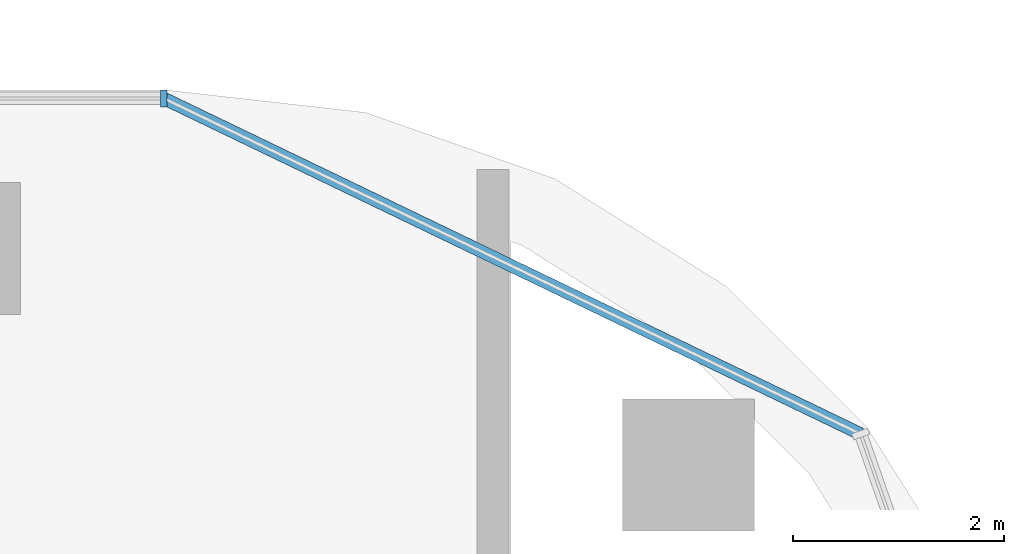
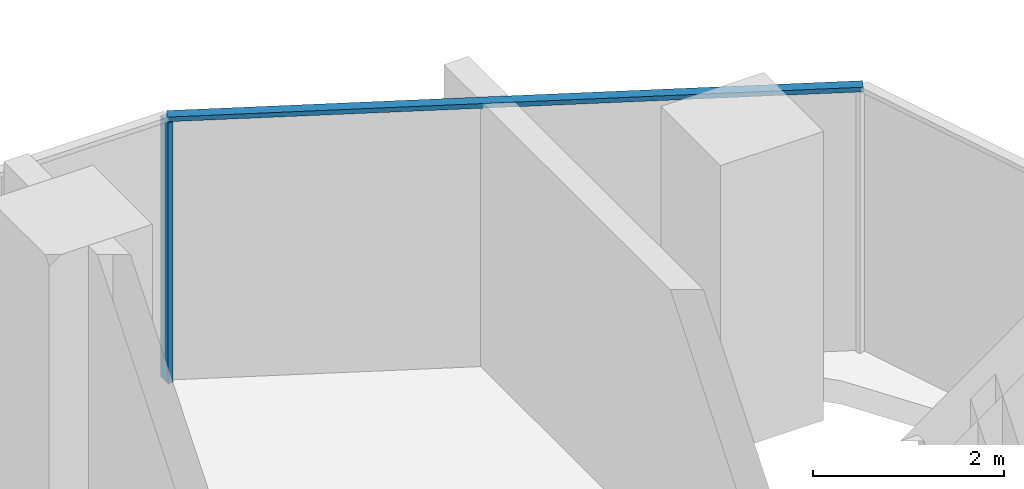
# One storey, part 5 of 22: 2 members, 2 elements without a shape of their own.
"""IFC4 building model written with IfcOpenShell, lengths in metres."""

from ifc_helpers import new_model, si_unit, direction, frame, origin, origin_2d, place, context, subcontext, project, spatial, rectangle, extrude, material, material_profile, profile_set, type_object, element, aggregate, save


model = new_model("IFC4")

# Units and contexts
model_context = context("Model", 3, precision=1e-05, world=origin(), true_north=direction((0.0, 1.0)))
body_context = subcontext(model_context, "Body", "Model", "MODEL_VIEW")
ifc_project = project(units=[si_unit("LENGTHUNIT", "METRE"), si_unit("AREAUNIT", "SQUARE_METRE"), si_unit("VOLUMEUNIT", "CUBIC_METRE"), si_unit("PLANEANGLEUNIT", "RADIAN"), si_unit("MASSUNIT", "GRAM", prefix="KILO")], contexts=[model_context])

# Site, building, storey
site_placement = place(None, origin())
site = spatial("IfcSite", under=ifc_project, at=site_placement, CompositionType="ELEMENT")
building_placement = place(site_placement, origin())
building = spatial("IfcBuilding", under=site, at=building_placement, Name="Ogive Portal Towers", CompositionType="ELEMENT")
storey_placement = place(building_placement, frame((0.0, 0.0, 113.0)))
storey = spatial("IfcBuildingStorey", under=building, at=storey_placement, Name="L27", CompositionType="ELEMENT", Elevation=113.0)

# Curtain wall, member
ifc_material_1 = material(Name="Glass, clear low-iron insulated glazing", Category="glass")
curtain_wall_type = type_object("IfcCurtainWallType", Name="CW FRONT RIBBON 4500", PredefinedType="NOTDEFINED", material=ifc_material_1)
curtain_wall_1_placement = place(storey_placement, origin())
curtain_wall_1 = element("IfcCurtainWall", 1, at=curtain_wall_1_placement, inside=storey, type_object=curtain_wall_type, Name="A:L27:f12:cw0", PredefinedType="NOTDEFINED")
ifc_material_2 = material(Name="Aluminium 6063 anodised", Category="aluminium")
ifc_material_profile_1 = material_profile(ifc_material_2, rectangle(XDim=0.159912109375, YDim=0.06005859375, at=origin_2d()), Name="AL 60x160")
ifc_profile_set_1 = profile_set([ifc_material_profile_1], Name="Aluminium 6063 anodised")
member_type_1 = type_object("IfcMemberType", Name="CW MULLION 60x160", PredefinedType="MULLION", material=ifc_profile_set_1)
member_1_placement = place(storey_placement, frame((87.481689453125, 40.919921875, 0.0), z_axis=(0.0, 0.0, 1.0), x_axis=(0.0, -1.0, 0.0)))
member_1 = element("IfcMember", 2, at=member_1_placement, type_object=member_type_1, Name="mullion", PredefinedType="MULLION", context=body_context, shape_type="SweptSolid", body=[
    extrude(rectangle(XDim=0.159912109375, YDim=0.06005859375, at=origin_2d()), origin(), (0.0, 0.0, 1.0), 3.340087890625),
])
aggregate(curtain_wall_1, [member_1])

curtain_wall_2_placement = place(storey_placement, origin())
curtain_wall_2 = element("IfcCurtainWall", 3, at=curtain_wall_2_placement, inside=storey, type_object=curtain_wall_type, Name="A:L27:f10:cwa", PredefinedType="NOTDEFINED")
ifc_material_profile_2 = material_profile(ifc_material_2, rectangle(XDim=0.1201171875, YDim=0.06005859375, at=origin_2d()), Name="AL 120x60")
ifc_profile_set_2 = profile_set([ifc_material_profile_2], Name="Aluminium 6063 anodised")
member_type_2 = type_object("IfcMemberType", Name="CW TRANSOM 60x120", PredefinedType="USERDEFINED", material=ifc_profile_set_2)
member_2_placement = place(storey_placement, frame((94.0810546875, 37.741943359375, 3.3701171875), z_axis=(-0.900974646757, 0.433871738997, 0.0), x_axis=(-0.433871738997, -0.900974646757, 0.0)))
member_2 = element("IfcMember", 4, at=member_2_placement, type_object=member_type_2, Name="transom", ObjectType="TRANSOM", PredefinedType="USERDEFINED", context=body_context, shape_type="SweptSolid", body=[
    extrude(rectangle(XDim=0.1201171875, YDim=0.06005859375, at=origin_2d()), origin(), (0.0, 0.0, 1.0), 7.32470703125),
])
aggregate(curtain_wall_2, [member_2])

save(model, "model.ifc")
